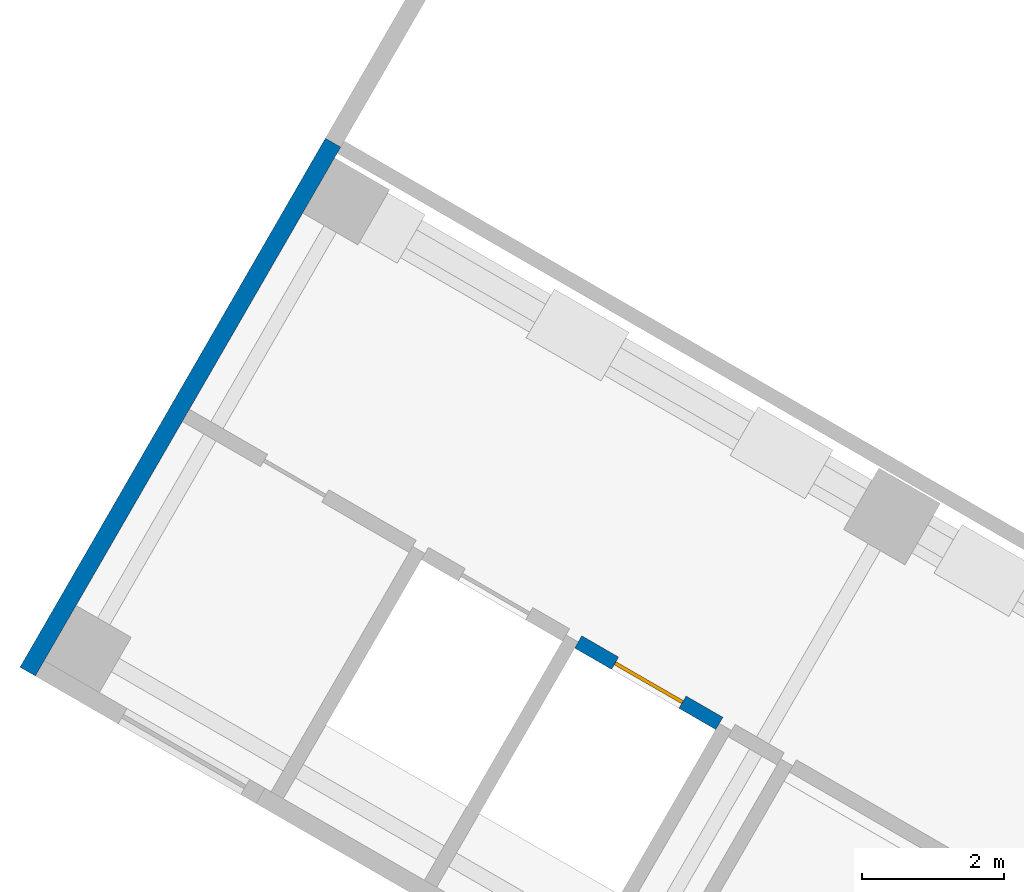
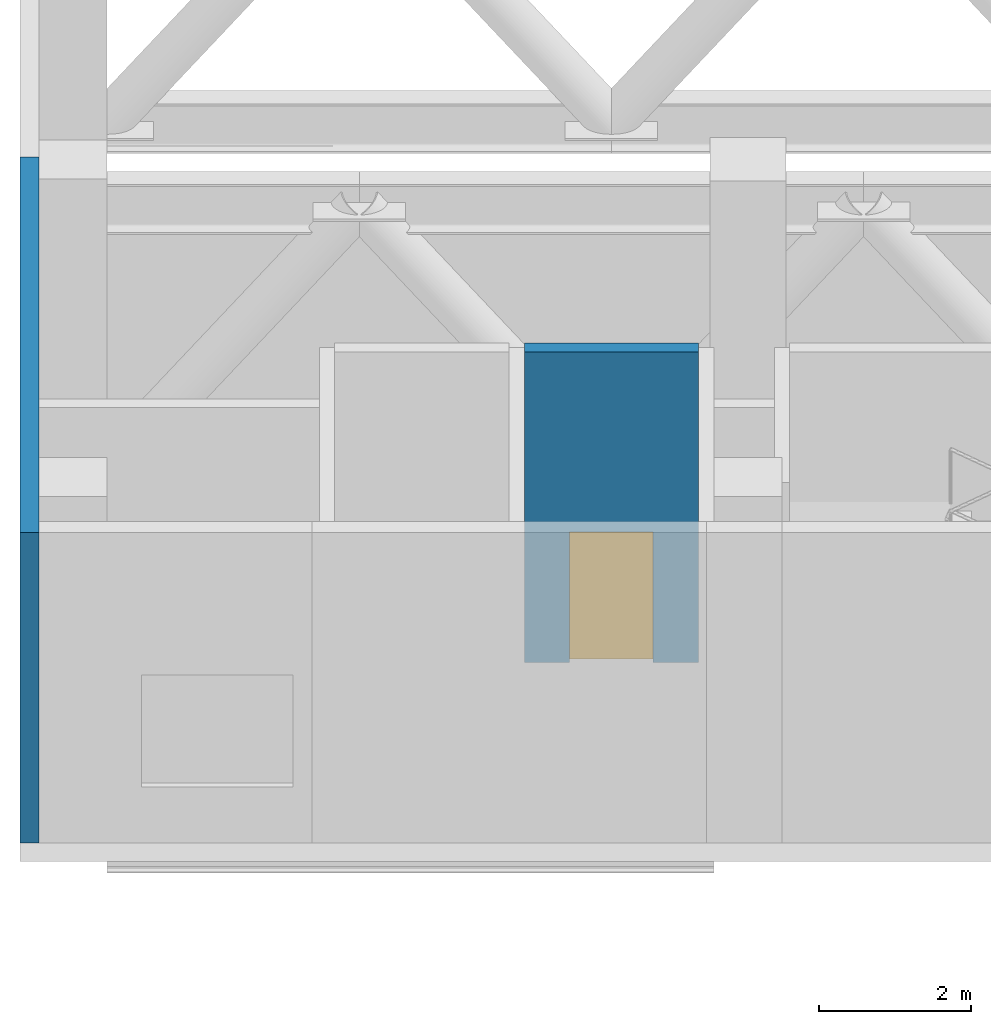
# One storey, part 14 of 37: 2 walls, 1 door, 1 opening.
"""IFC4 building model written with IfcOpenShell, lengths in metres."""

from ifc_helpers import new_model, si_unit, direction, frame, frame_2d, origin, place, context, subcontext, project, spatial, rectangle, extrude, material, layer, layer_set, type_object, element, fill, save


model = new_model("IFC4")

# Units and contexts
model_context = context("Model", 3, precision=1e-05, world=origin(), true_north=direction((0.0, 1.0)))
body_context = subcontext(model_context, "Body", "Model", "MODEL_VIEW")
ifc_project = project(units=[si_unit("LENGTHUNIT", "METRE"), si_unit("AREAUNIT", "SQUARE_METRE"), si_unit("VOLUMEUNIT", "CUBIC_METRE"), si_unit("PLANEANGLEUNIT", "RADIAN"), si_unit("MASSUNIT", "GRAM", prefix="KILO")], contexts=[model_context])

# Site, building, storey
site_placement = place(None, origin())
site = spatial("IfcSite", under=ifc_project, at=site_placement, CompositionType="ELEMENT")
building_placement = place(site_placement, origin())
building = spatial("IfcBuilding", under=site, at=building_placement, Name="Mestral Congress Tower", CompositionType="ELEMENT")
storey_placement = place(building_placement, frame((0.0, 0.0, 16.199951171875)))
storey = spatial("IfcBuildingStorey", under=building, at=storey_placement, Name="L03", CompositionType="ELEMENT", Elevation=16.199951171875)

# Wall
ifc_material_1 = material(Name="Precast concrete C40/50 with limestone facing", Category="masonry")
ifc_layer_1 = layer(ifc_material_1, 0.25)
ifc_layer_set_1 = layer_set([ifc_layer_1], Name="Precast concrete C40/50 with limestone facing")
wall_type_1 = type_object("IfcWallType", Name="Podium external wall 250", PredefinedType="SOLIDWALL", material=ifc_layer_set_1)
wall_1_placement = place(storey_placement, frame((-83.915283203125, 2.260498046875, 0.0), z_axis=(0.0, 0.0, 1.0), x_axis=(0.499999331568, 0.866025789703, 0.0)))
element("IfcWall", 1, at=wall_1_placement, inside=storey, type_object=wall_type_1, Name="L03 external wall", PredefinedType="SOLIDWALL", context=body_context, shape_type="SweptSolid", body=[
    extrude(rectangle(XDim=8.625, YDim=0.25, at=frame_2d((4.3125, 0.0))), origin(), (0.0, 0.0, 1.0), 5.0),
])

# Wall, opening, door
ifc_material_2 = material(Name="Masonry block wall", Category="masonry")
ifc_layer_2 = layer(ifc_material_2, 0.199951171875)
ifc_layer_set_2 = layer_set([ifc_layer_2], Name="Masonry block wall")
wall_type_2 = type_object("IfcWallType", Name="Podium stair enclosure wall 200 EI 120 load-bearing", PredefinedType="SOLIDWALL", material=ifc_layer_set_2)
wall_2_placement = place(storey_placement, frame((-74.147705078125, 1.528564453125, 0.0), z_axis=(0.0, 0.0, 1.0), x_axis=(-0.865980515519, 0.500077740698, 0.0)))
wall_2 = element("IfcWall", 2, at=wall_2_placement, inside=storey, type_object=wall_type_2, Name="L03 partition", PredefinedType="SOLIDWALL", context=body_context, shape_type="SweptSolid", body=[
    extrude(rectangle(XDim=2.300048828125, YDim=0.199951171875, at=frame_2d((1.14990234375, 0.0))), origin(), (0.0, 0.0, 1.0), 5.0),
])
opening_placement = place(wall_2_placement, frame((0.60009765625, 0.0, 0.0)))
opening = element("IfcOpeningElement", 3, at=opening_placement, cuts=wall_2, Name="Opening P03-309", PredefinedType="OPENING", context=body_context, shape_type="SweptSolid", body=[
    extrude(rectangle(XDim=1.10009765625, YDim=2.10009765625, at=frame_2d((0.550048828125, 1.050048828125))), frame((0.0, 0.10986328125, 0.0), z_axis=(0.0, -1.0, 0.0), x_axis=(1.0, 0.0, 0.0)), (0.0, 0.0, 1.0), 0.219970703125),
])
ifc_material_3 = material(Name="Fire-rated steel door set", Category="steel")
door_type = type_object("IfcDoorType", Name="Podium lift landing door 1100x2100 EI2 60-C5", OperationType="DOUBLE_DOOR_SLIDING", PredefinedType="DOOR", material=ifc_material_3)
door_placement = place(opening_placement, origin())
door = element("IfcDoor", 4, at=door_placement, inside=storey, type_object=door_type, Name="Door P03-309", OperationType="DOUBLE_DOOR_SLIDING", OverallHeight=2.10009765625, OverallWidth=1.10009765625, PredefinedType="DOOR", context=body_context, shape_type="SweptSolid", body=[
    extrude(rectangle(XDim=1.10009765625, YDim=2.10009765625, at=frame_2d((0.550048828125, 1.050048828125))), frame((0.0, 0.02490234375, 0.0), z_axis=(0.0, -1.0, 0.0), x_axis=(1.0, 0.0, 0.0)), (0.0, 0.0, 1.0), 0.050048828125),
])
fill(opening, door)

save(model, "model.ifc")
